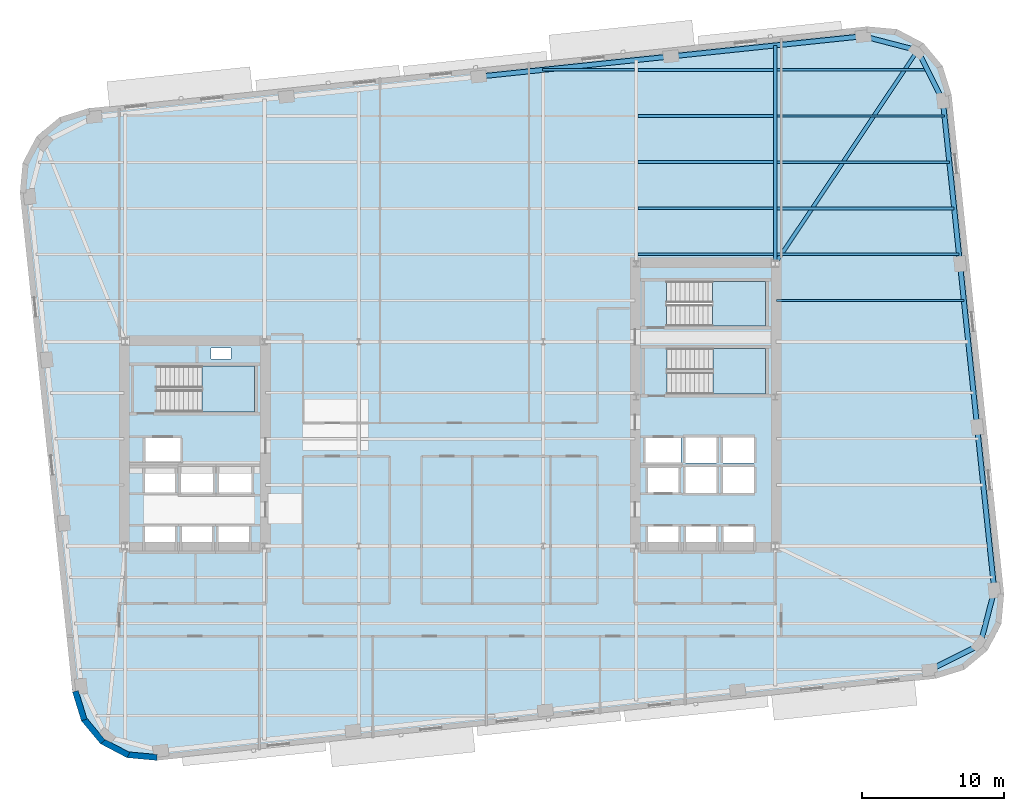
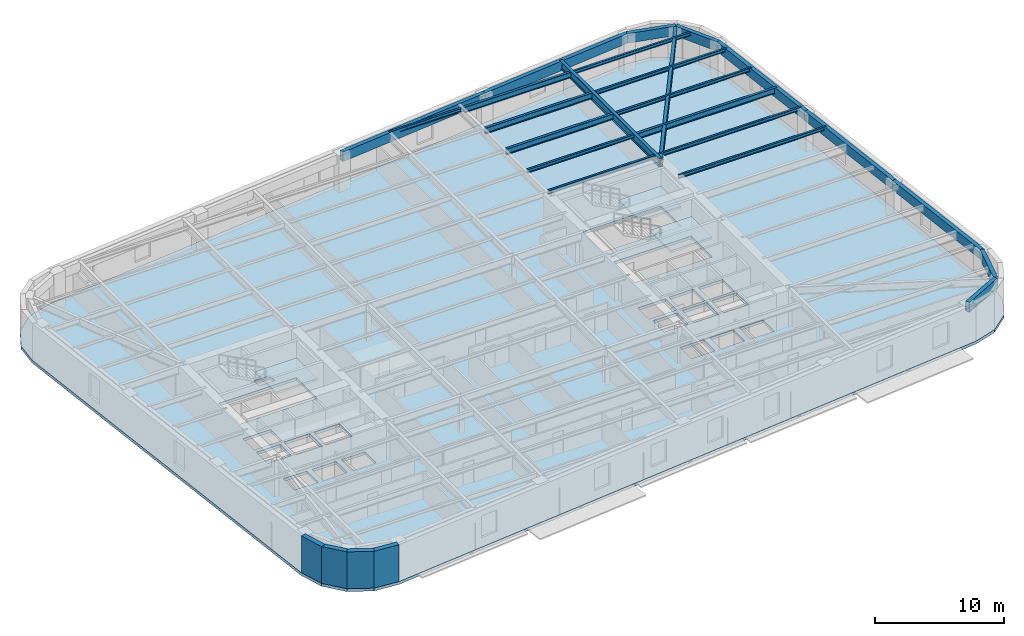
# One storey, part 3 of 11: 23 beams, 4 slabs, 4 walls, 3 elements without a shape of their own.
"""IFC4 building model written with IfcOpenShell, lengths in metres."""

from ifc_helpers import new_model, si_unit, direction, frame, frame_2d, origin, origin_2d, place, context, subcontext, project, spatial, polyline, rectangle, hollow_rectangle, i_section, outline, extrude, material, layer, layer_set, material_profile, profile_set, type_object, element, aggregate, save


model = new_model("IFC4")

# Units and contexts
model_context = context("Model", 3, precision=1e-05, world=origin(), true_north=direction((0.0, 1.0)))
body_context = subcontext(model_context, "Body", "Model", "MODEL_VIEW")
ifc_project = project(units=[si_unit("LENGTHUNIT", "METRE"), si_unit("AREAUNIT", "SQUARE_METRE"), si_unit("VOLUMEUNIT", "CUBIC_METRE"), si_unit("PLANEANGLEUNIT", "RADIAN"), si_unit("MASSUNIT", "GRAM", prefix="KILO")], contexts=[model_context])

# Site, building, storey
site_placement = place(None, origin())
site = spatial("IfcSite", under=ifc_project, at=site_placement, CompositionType="ELEMENT")
building_placement = place(site_placement, origin())
building = spatial("IfcBuilding", under=site, at=building_placement, Name="Kolvaren Arena Tower", CompositionType="ELEMENT")
storey_placement = place(building_placement, frame((0.0, 0.0, 103.449951171875)))
storey = spatial("IfcBuildingStorey", under=building, at=storey_placement, Name="L23", CompositionType="ELEMENT", Elevation=103.449951171875)

# Beams
ifc_material_1 = material(Name="Steel CSA G40.21 350W", Category="steel")
ifc_material_profile_1 = material_profile(ifc_material_1, i_section(OverallWidth=0.2119140625, OverallDepth=0.54296875, WebThickness=0.01318359375, FlangeThickness=0.0244140625, FilletRadius=0.013916015625, at=origin_2d()), Name="W530x150")
ifc_profile_set_1 = profile_set([ifc_material_profile_1], Name="Steel CSA G40.21 350W")
beam_type_1 = type_object("IfcBeamType", Name="BEAM-F1", PredefinedType="BEAM", material=ifc_profile_set_1)
beam_1_placement = place(storey_placement, frame((60.485107421875, 43.25, 3.20849609375), z_axis=(1.0, 0.0, 0.0), x_axis=(0.0, 1.0, 0.0)))
element("IfcBeam", 1, at=beam_1_placement, inside=storey, type_object=beam_type_1, Name="Composite Floor Beam (L23)", PredefinedType="BEAM", context=body_context, shape_type="SweptSolid", body=[
    extrude(i_section(OverallWidth=0.2119140625, OverallDepth=0.54296875, WebThickness=0.01318359375, FlangeThickness=0.0244140625, FilletRadius=0.013916015625, at=origin_2d()), origin(), (0.0, 0.0, 1.0), 12.471435546875),
])
for number, where, z_axis, x_axis, name in (
    (2, (50.68505859375, 46.5, 3.20849609375), (1.0, 0.0, 0.0), (0.0, 1.0, 0.0), "Composite Floor Beam (L23)"),
    (3, (50.68505859375, 49.75, 3.20849609375), (1.0, 0.0, 0.0), (0.0, 1.0, 0.0), "Composite Floor Beam (L23)"),
    (4, (50.68505859375, 53.0, 3.20849609375), (1.0, 0.0, 0.0), (0.0, 1.0, 0.0), "Composite Floor Beam (L23)"),
):
    element("IfcBeam", number, at=place(storey_placement, frame(where, z_axis=z_axis, x_axis=x_axis)), inside=storey, type_object=beam_type_1, Name=name, PredefinedType="BEAM", context=body_context, shape_type="SweptSolid", body=[
        extrude(i_section(OverallWidth=0.2119140625, OverallDepth=0.54296875, WebThickness=0.01318359375, FlangeThickness=0.0244140625, FilletRadius=0.013916015625, at=origin_2d()), origin(), (0.0, 0.0, 1.0), 9.530029296875),
    ])
ifc_material_profile_2 = material_profile(ifc_material_1, i_section(OverallWidth=0.27001953125, OverallDepth=0.77294921875, WebThickness=0.019287109375, FlangeThickness=0.033447265625, FilletRadius=0.01806640625, at=origin_2d()), Name="W760x257")
ifc_profile_set_2 = profile_set([ifc_material_profile_2], Name="Steel CSA G40.21 350W")
beam_type_2 = type_object("IfcBeamType", Name="GIRD-T1", PredefinedType="BEAM", material=ifc_profile_set_2)
beam_2_placement = place(storey_placement, frame((70.387939453125, 54.37939453125, 3.093505859375), z_axis=(-0.555401401293, -0.831582397266, 0.0), x_axis=(0.831582397266, -0.555401401293, 0.0)))
element("IfcBeam", 5, at=beam_2_placement, inside=storey, type_object=beam_type_2, Name="Corner Diagonal Tie Girder (L23)", PredefinedType="BEAM", context=body_context, shape_type="SweptSolid", body=[
    extrude(i_section(OverallWidth=0.27001953125, OverallDepth=0.77294921875, WebThickness=0.019287109375, FlangeThickness=0.033447265625, FilletRadius=0.01806640625, at=origin_2d()), origin(), (0.0, 0.0, 1.0), 18.0732421875),
])
beam_3_placement = place(storey_placement, frame((60.35009765625, 39.405029296875, 3.093505859375), z_axis=(0.0, 1.0, 0.0), x_axis=(-1.0, 0.0, 0.0)))
element("IfcBeam", 6, at=beam_3_placement, inside=storey, type_object=beam_type_2, Name="Primary Floor Girder (L23)", PredefinedType="BEAM", context=body_context, shape_type="SweptSolid", body=[
    extrude(i_section(OverallWidth=0.27001953125, OverallDepth=0.77294921875, WebThickness=0.019287109375, FlangeThickness=0.033447265625, FilletRadius=0.01806640625, at=origin_2d()), origin(), (0.0, 0.0, 1.0), 15.318359375),
])
ifc_material_profile_3 = material_profile(ifc_material_1, i_section(OverallWidth=0.1669921875, OverallDepth=0.31689453125, WebThickness=0.007568359375, FlangeThickness=0.01318359375, FilletRadius=0.010009765625, at=origin_2d()), Name="W310x52")
ifc_profile_set_3 = profile_set([ifc_material_profile_3], Name="Steel CSA G40.21 350W")
beam_type_3 = type_object("IfcBeamType", Name="JOIST-02", PredefinedType="JOIST", material=ifc_profile_set_3)
beam_4_placement = place(storey_placement, frame((60.445068359375, 36.75, 3.321533203125), z_axis=(1.0, 0.0, 0.0), x_axis=(0.0, 1.0, 0.0)))
element("IfcBeam", 7, at=beam_4_placement, inside=storey, type_object=beam_type_3, Name="Composite Floor Joist (L23)", PredefinedType="JOIST", context=body_context, shape_type="SweptSolid", body=[
    extrude(i_section(OverallWidth=0.1669921875, OverallDepth=0.31689453125, WebThickness=0.007568359375, FlangeThickness=0.01318359375, FilletRadius=0.010009765625, at=origin_2d()), origin(), (0.0, 0.0, 1.0), 13.19482421875),
])
beam_5_placement = place(storey_placement, frame((50.68505859375, 40.0, 3.321533203125), z_axis=(1.0, 0.0, 0.0), x_axis=(0.0, 1.0, 0.0)))
element("IfcBeam", 8, at=beam_5_placement, inside=storey, type_object=beam_type_3, Name="Composite Floor Joist (L23)", PredefinedType="JOIST", context=body_context, shape_type="SweptSolid", body=[
    extrude(i_section(OverallWidth=0.1669921875, OverallDepth=0.31689453125, WebThickness=0.007568359375, FlangeThickness=0.01318359375, FilletRadius=0.010009765625, at=origin_2d()), origin(), (0.0, 0.0, 1.0), 9.530029296875),
])
beam_6_placement = place(storey_placement, frame((60.485107421875, 40.0, 3.321533203125), z_axis=(1.0, 0.0, 0.0), x_axis=(0.0, 1.0, 0.0)))
element("IfcBeam", 9, at=beam_6_placement, inside=storey, type_object=beam_type_3, Name="Composite Floor Joist (L23)", PredefinedType="JOIST", context=body_context, shape_type="SweptSolid", body=[
    extrude(i_section(OverallWidth=0.1669921875, OverallDepth=0.31689453125, WebThickness=0.007568359375, FlangeThickness=0.01318359375, FilletRadius=0.010009765625, at=origin_2d()), origin(), (0.0, 0.0, 1.0), 12.81298828125),
])
beam_7_placement = place(storey_placement, frame((50.68505859375, 43.25, 3.321533203125), z_axis=(1.0, 0.0, 0.0), x_axis=(0.0, 1.0, 0.0)))
element("IfcBeam", 10, at=beam_7_placement, inside=storey, type_object=beam_type_3, Name="Composite Floor Joist (L23)", PredefinedType="JOIST", context=body_context, shape_type="SweptSolid", body=[
    extrude(i_section(OverallWidth=0.1669921875, OverallDepth=0.31689453125, WebThickness=0.007568359375, FlangeThickness=0.01318359375, FilletRadius=0.010009765625, at=origin_2d()), origin(), (0.0, 0.0, 1.0), 9.530029296875),
])
beam_8_placement = place(storey_placement, frame((60.485107421875, 46.5, 3.321533203125), z_axis=(1.0, 0.0, 0.0), x_axis=(0.0, 1.0, 0.0)))
element("IfcBeam", 11, at=beam_8_placement, inside=storey, type_object=beam_type_3, Name="Composite Floor Joist (L23)", PredefinedType="JOIST", context=body_context, shape_type="SweptSolid", body=[
    extrude(i_section(OverallWidth=0.1669921875, OverallDepth=0.31689453125, WebThickness=0.007568359375, FlangeThickness=0.01318359375, FilletRadius=0.010009765625, at=origin_2d()), origin(), (0.0, 0.0, 1.0), 12.1298828125),
])
beam_9_placement = place(storey_placement, frame((60.485107421875, 49.75, 3.321533203125), z_axis=(1.0, 0.0, 0.0), x_axis=(0.0, 1.0, 0.0)))
element("IfcBeam", 12, at=beam_9_placement, inside=storey, type_object=beam_type_3, Name="Composite Floor Joist (L23)", PredefinedType="JOIST", context=body_context, shape_type="SweptSolid", body=[
    extrude(i_section(OverallWidth=0.1669921875, OverallDepth=0.31689453125, WebThickness=0.007568359375, FlangeThickness=0.01318359375, FilletRadius=0.010009765625, at=origin_2d()), origin(), (0.0, 0.0, 1.0), 11.788330078125),
])
beam_10_placement = place(storey_placement, frame((43.95361328125, 53.0, 3.321533203125), z_axis=(1.0, 0.0, 0.0), x_axis=(0.0, 1.0, 0.0)))
element("IfcBeam", 13, at=beam_10_placement, inside=storey, type_object=beam_type_3, Name="Composite Floor Joist (L23)", PredefinedType="JOIST", context=body_context, shape_type="SweptSolid", body=[
    extrude(i_section(OverallWidth=0.1669921875, OverallDepth=0.31689453125, WebThickness=0.007568359375, FlangeThickness=0.01318359375, FilletRadius=0.010009765625, at=origin_2d()), origin(), (0.0, 0.0, 1.0), 6.46142578125),
])
beam_11_placement = place(storey_placement, frame((60.485107421875, 53.0, 3.321533203125), z_axis=(1.0, 0.0, 0.0), x_axis=(0.0, 1.0, 0.0)))
element("IfcBeam", 14, at=beam_11_placement, inside=storey, type_object=beam_type_3, Name="Composite Floor Joist (L23)", PredefinedType="JOIST", context=body_context, shape_type="SweptSolid", body=[
    extrude(i_section(OverallWidth=0.1669921875, OverallDepth=0.31689453125, WebThickness=0.007568359375, FlangeThickness=0.01318359375, FilletRadius=0.010009765625, at=origin_2d()), origin(), (0.0, 0.0, 1.0), 10.592529296875),
])
ifc_material_2 = material(Name="Steel CSA G40.21 350WT", Category="steel")
ifc_material_profile_4 = material_profile(ifc_material_2, hollow_rectangle(XDim=0.35009765625, YDim=0.89990234375, WallThickness=0.02001953125, at=origin_2d()), Name="HSS 900x350x20")
ifc_profile_set_4 = profile_set([ifc_material_profile_4], Name="Steel CSA G40.21 350WT")
beam_type_4 = type_object("IfcBeamType", Name="SPAND-01", PredefinedType="SPANDREL", material=ifc_profile_set_4)
for number, where, z_axis, x_axis, name in (
    (15, (71.247314453125, 10.721435546875, 3.030029296875), (0.894451843771, 0.44716428656, 0.0), (-0.44716428656, 0.894451843771, 0.0), "Perimeter Spandrel Beam (L23)"),
    (16, (74.790283203125, 12.49267578125, 3.030029296875), (0.251473350892, 0.967864222808, 0.0), (-0.967864222808, 0.251473350892, 0.0), "Perimeter Spandrel Beam (L23)"),
):
    element("IfcBeam", number, at=place(storey_placement, frame(where, z_axis=z_axis, x_axis=x_axis)), inside=storey, type_object=beam_type_4, Name=name, PredefinedType="SPANDREL", context=body_context, shape_type="SweptSolid", body=[
        extrude(hollow_rectangle(XDim=0.35009765625, YDim=0.89990234375, WallThickness=0.02001953125, at=origin_2d()), origin(), (0.0, 0.0, 1.0), 3.9609375),
    ])
beam_12_placement = place(storey_placement, frame((75.786376953125, 16.326416015625, 3.030029296875), z_axis=(-0.104522171998, 0.994522556587, 0.0), x_axis=(-0.994522556587, -0.104522171998, 0.0)))
element("IfcBeam", 17, at=beam_12_placement, inside=storey, type_object=beam_type_4, Name="Perimeter Spandrel Beam (L23)", PredefinedType="SPANDREL", context=body_context, shape_type="SweptSolid", body=[
    extrude(hollow_rectangle(XDim=0.35009765625, YDim=0.89990234375, WallThickness=0.02001953125, at=origin_2d()), origin(), (0.0, 0.0, 1.0), 11.56689453125),
])
beam_13_placement = place(storey_placement, frame((74.577392578125, 27.829833984375, 3.030029296875), z_axis=(-0.104524366116, 0.994522325988, 0.0), x_axis=(-0.994522325988, -0.104524366116, 0.0)))
element("IfcBeam", 18, at=beam_13_placement, inside=storey, type_object=beam_type_4, Name="Perimeter Spandrel Beam (L23)", PredefinedType="SPANDREL", context=body_context, shape_type="SweptSolid", body=[
    extrude(hollow_rectangle(XDim=0.35009765625, YDim=0.89990234375, WallThickness=0.02001953125, at=origin_2d()), origin(), (0.0, 0.0, 1.0), 11.566650390625),
])
beam_14_placement = place(storey_placement, frame((73.368408203125, 39.3330078125, 3.030029296875), z_axis=(-0.104543048399, 0.994520362301, 0.0), x_axis=(-0.994520362301, -0.104543048399, 0.0)))
element("IfcBeam", 19, at=beam_14_placement, inside=storey, type_object=beam_type_4, Name="Perimeter Spandrel Beam (L23)", PredefinedType="SPANDREL", context=body_context, shape_type="SweptSolid", body=[
    extrude(hollow_rectangle(XDim=0.35009765625, YDim=0.89990234375, WallThickness=0.02001953125, at=origin_2d()), origin(), (0.0, 0.0, 1.0), 11.56689453125),
])
for number, where, z_axis, x_axis, name in (
    (20, (72.1591796875, 50.83642578125, 3.030029296875), (-0.44716428656, 0.894451843771, 0.0), (-0.894451843771, -0.44716428656, 0.0), "Perimeter Spandrel Beam (L23)"),
    (21, (70.387939453125, 54.37939453125, 3.030029296875), (-0.967864222808, 0.251473350892, 0.0), (-0.251473350892, -0.967864222808, 0.0), "Perimeter Spandrel Beam (L23)"),
):
    element("IfcBeam", number, at=place(storey_placement, frame(where, z_axis=z_axis, x_axis=x_axis)), inside=storey, type_object=beam_type_4, Name=name, PredefinedType="SPANDREL", context=body_context, shape_type="SweptSolid", body=[
        extrude(hollow_rectangle(XDim=0.35009765625, YDim=0.89990234375, WallThickness=0.02001953125, at=origin_2d()), origin(), (0.0, 0.0, 1.0), 3.9609375),
    ])
beam_15_placement = place(storey_placement, frame((66.55419921875, 55.37548828125, 3.030029296875), z_axis=(-0.994521150946, -0.104535545729, 0.0), x_axis=(0.104535545729, -0.994521150946, 0.0)))
element("IfcBeam", 22, at=beam_15_placement, inside=storey, type_object=beam_type_4, Name="Perimeter Spandrel Beam (L23)", PredefinedType="SPANDREL", context=body_context, shape_type="SweptSolid", body=[
    extrude(hollow_rectangle(XDim=0.35009765625, YDim=0.89990234375, WallThickness=0.02001953125, at=origin_2d()), origin(), (0.0, 0.0, 1.0), 13.625244140625),
])
beam_16_placement = place(storey_placement, frame((53.003662109375, 53.951171875, 3.030029296875), z_axis=(-0.994522817887, -0.104519685718, 0.0), x_axis=(0.104519685718, -0.994522817887, 0.0)))
element("IfcBeam", 23, at=beam_16_placement, inside=storey, type_object=beam_type_4, Name="Perimeter Spandrel Beam (L23)", PredefinedType="SPANDREL", context=body_context, shape_type="SweptSolid", body=[
    extrude(hollow_rectangle(XDim=0.35009765625, YDim=0.89990234375, WallThickness=0.02001953125, at=origin_2d()), origin(), (0.0, 0.0, 1.0), 13.625),
])

# Stair, slab
ifc_material_3 = material(Name="Concrete 45 MPa", Category="concrete")
stair_type_1 = type_object("IfcStairType", Name="STAIR-CORE-165", PredefinedType="HALF_TURN_STAIR", material=ifc_material_3)
stair_1_placement = place(storey_placement, origin())
stair_1 = element("IfcStair", 24, at=stair_1_placement, inside=storey, type_object=stair_type_1, Name="L23 ST-W1", PredefinedType="HALF_TURN_STAIR")
ifc_layer_1 = layer(ifc_material_3, 0.199951171875)
ifc_layer_set_1 = layer_set([ifc_layer_1], Name="Concrete 45 MPa")
slab_type_1 = type_object("IfcSlabType", Name="SLAB-LAND", PredefinedType="LANDING", material=ifc_layer_set_1)
slab_1_placement = place(storey_placement, frame((0.0, 0.0, 1.675048828125)))
slab_1 = element("IfcSlab", 25, at=slab_1_placement, type_object=slab_type_1, Name="ST-W1 landing 1", PredefinedType="LANDING", context=body_context, shape_type="SweptSolid", body=[
    extrude(outline(polyline([(19.9599609375, 28.89990234375), (23.659912109375, 28.89990234375), (23.659912109375, 32.1298828125), (19.9599609375, 32.1298828125), (19.9599609375, 28.89990234375)])), origin(), (0.0, 0.0, 1.0), 0.199951171875),
])
aggregate(stair_1, [slab_1])

stair_2_placement = place(storey_placement, origin())
stair_2 = element("IfcStair", 26, at=stair_2_placement, inside=storey, type_object=stair_type_1, Name="L23 ST-E1", PredefinedType="HALF_TURN_STAIR")
slab_2_placement = place(storey_placement, frame((0.0, 0.0, 1.675048828125)))
slab_2 = element("IfcSlab", 27, at=slab_2_placement, type_object=slab_type_1, Name="ST-E1 landing 1", PredefinedType="LANDING", context=body_context, shape_type="SweptSolid", body=[
    extrude(outline(polyline([(55.9599609375, 30.14990234375), (59.659912109375, 30.14990234375), (59.659912109375, 33.3798828125), (55.9599609375, 33.3798828125), (55.9599609375, 30.14990234375)])), origin(), (0.0, 0.0, 1.0), 0.199951171875),
])
aggregate(stair_2, [slab_2])

stair_type_2 = type_object("IfcStairType", Name="STAIR-CORE-150", PredefinedType="HALF_TURN_STAIR", material=ifc_material_3)
stair_3_placement = place(storey_placement, origin())
stair_3 = element("IfcStair", 28, at=stair_3_placement, inside=storey, type_object=stair_type_2, Name="L23 ST-E2", PredefinedType="HALF_TURN_STAIR")
slab_3_placement = place(storey_placement, frame((0.0, 0.0, 1.675048828125)))
slab_3 = element("IfcSlab", 29, at=slab_3_placement, type_object=slab_type_1, Name="ST-E2 landing 1", PredefinedType="LANDING", context=body_context, shape_type="SweptSolid", body=[
    extrude(outline(polyline([(55.919921875, 34.949951171875), (59.659912109375, 34.949951171875), (59.659912109375, 38.10009765625), (55.919921875, 38.10009765625), (55.919921875, 34.949951171875)])), origin(), (0.0, 0.0, 1.0), 0.199951171875),
])
aggregate(stair_3, [slab_3])

# Slab
ifc_layer_2 = layer(ifc_material_3, 0.27001953125)
ifc_layer_set_2 = layer_set([ifc_layer_2], Name="Concrete 45 MPa")
slab_type_2 = type_object("IfcSlabType", Name="SLAB-OFF2", PredefinedType="FLOOR", material=ifc_layer_set_2)
slab_4_placement = place(storey_placement, frame((0.0, 0.0, -0.27001953125)))
element("IfcSlab", 30, at=slab_4_placement, inside=storey, type_object=slab_type_2, Name="L23 Primary Structural Slab", PredefinedType="FLOOR", context=body_context, shape_type="SweptSolid", body=[
    extrude(outline(polyline([(71.663330078125, 10.111572265625), (73.675537109375, 10.736328125), (75.29541015625, 12.08349609375), (76.276611328125, 13.9482421875), (76.469482421875, 16.04638671875), (72.76904296875, 51.25244140625), (72.144287109375, 53.2646484375), (70.797119140625, 54.884521484375), (68.932373046875, 55.865478515625), (66.834228515625, 56.058349609375), (11.9365234375, 50.28857421875), (9.92431640625, 49.663818359375), (8.304443359375, 48.31640625), (7.323486328125, 46.45166015625), (7.130615234375, 44.353515625), (10.830810546875, 9.1474609375), (11.455810546875, 7.13525390625), (12.802978515625, 5.515380859375), (14.667724609375, 4.534423828125), (16.765869140625, 4.341552734375), (71.663330078125, 10.111572265625)]), holes=[polyline([(15.93505859375, 19.0849609375), (15.93505859375, 20.81494140625), (18.06494140625, 20.81494140625), (18.06494140625, 19.0849609375), (15.93505859375, 19.0849609375)]), polyline([(18.534912109375, 19.0849609375), (18.534912109375, 20.81494140625), (20.6650390625, 20.81494140625), (20.6650390625, 19.0849609375), (18.534912109375, 19.0849609375)]), polyline([(21.135009765625, 19.0849609375), (21.135009765625, 20.81494140625), (23.264892578125, 20.81494140625), (23.264892578125, 19.0849609375), (21.135009765625, 19.0849609375)]), polyline([(51.39501953125, 19.0849609375), (51.39501953125, 20.81494140625), (53.52490234375, 20.81494140625), (53.52490234375, 19.0849609375), (51.39501953125, 19.0849609375)]), polyline([(54.054931640625, 19.0849609375), (54.054931640625, 20.81494140625), (56.18505859375, 20.81494140625), (56.18505859375, 19.0849609375), (54.054931640625, 19.0849609375)]), polyline([(56.695068359375, 19.0849609375), (56.695068359375, 20.81494140625), (58.824951171875, 20.81494140625), (58.824951171875, 19.0849609375), (56.695068359375, 19.0849609375)]), polyline([(18.4599609375, 25.06494140625), (20.739990234375, 25.06494140625), (20.739990234375, 23.135009765625), (18.4599609375, 23.135009765625), (18.4599609375, 25.06494140625)]), polyline([(21.159912109375, 23.135009765625), (21.159912109375, 25.06494140625), (23.43994140625, 25.06494140625), (23.43994140625, 23.135009765625), (21.159912109375, 23.135009765625)]), polyline([(54.030029296875, 25.014892578125), (56.2099609375, 25.014892578125), (56.2099609375, 23.18505859375), (54.030029296875, 23.18505859375), (54.030029296875, 25.014892578125)]), polyline([(56.669921875, 25.014892578125), (58.85009765625, 25.014892578125), (58.85009765625, 23.18505859375), (56.669921875, 23.18505859375), (56.669921875, 25.014892578125)]), polyline([(15.93505859375, 24.965087890625), (18.06494140625, 24.965087890625), (18.06494140625, 23.235107421875), (15.93505859375, 23.235107421875), (15.93505859375, 24.965087890625)]), polyline([(51.39501953125, 23.235107421875), (51.39501953125, 24.965087890625), (53.52490234375, 24.965087890625), (53.52490234375, 23.235107421875), (51.39501953125, 23.235107421875)]), polyline([(54.030029296875, 25.284912109375), (54.030029296875, 27.114990234375), (56.2099609375, 27.114990234375), (56.2099609375, 25.284912109375), (54.030029296875, 25.284912109375)]), polyline([(56.669921875, 25.284912109375), (56.669921875, 27.114990234375), (58.85009765625, 27.114990234375), (58.85009765625, 25.284912109375), (56.669921875, 25.284912109375)]), polyline([(15.9599609375, 25.3349609375), (15.9599609375, 27.06494140625), (18.43994140625, 27.06494140625), (18.43994140625, 25.3349609375), (15.9599609375, 25.3349609375)]), polyline([(51.219970703125, 25.3349609375), (51.219970703125, 27.06494140625), (53.699951171875, 27.06494140625), (53.699951171875, 25.3349609375), (51.219970703125, 25.3349609375)]), polyline([(16.735107421875, 32.1298828125), (23.659912109375, 32.1298828125), (23.659912109375, 28.89990234375), (16.735107421875, 28.89990234375), (16.735107421875, 32.1298828125)]), polyline([(52.735107421875, 33.3798828125), (59.659912109375, 33.3798828125), (59.659912109375, 30.14990234375), (52.735107421875, 30.14990234375), (52.735107421875, 33.3798828125)]), polyline([(20.60009765625, 33.39990234375), (22.0, 33.39990234375), (22.0, 32.6201171875), (20.60009765625, 32.6201171875), (20.60009765625, 33.39990234375)]), polyline([(52.695068359375, 38.10009765625), (59.659912109375, 38.10009765625), (59.659912109375, 34.949951171875), (52.695068359375, 34.949951171875), (52.695068359375, 38.10009765625)])]), origin(), (0.0, 0.0, 1.0), 0.27001953125),
])

# Walls
ifc_material_4 = material(Name="Precast concrete C50/60", Category="concrete")
ifc_layer_3 = layer(ifc_material_4, 0.419921875)
ifc_layer_set_3 = layer_set([ifc_layer_3], Name="Precast concrete C50/60")
wall_type = type_object("IfcWallType", Name="EXT-PIER1", PredefinedType="SOLIDWALL", material=ifc_layer_set_3)
for number, where, z_axis, x_axis, name in (
    (31, (11.65625, 7.197509765625, 0.0), (0.0, 0.0, 1.0), (-0.296519484366, 0.955026803494, 0.0), "Exterior Precast Masonry-Frame Wall (L23)"),
    (32, (12.964599609375, 5.649658203125, 0.0), (0.0, 0.0, 1.0), (-0.639488914921, 0.768800317178, 0.0), "Exterior Precast Masonry-Frame Wall (L23)"),
    (33, (14.765380859375, 4.72021484375, 0.0), (0.0, 0.0, 1.0), (-0.884940843444, 0.465703450282, 0.0), "Exterior Precast Masonry-Frame Wall (L23)"),
):
    element("IfcWall", number, at=place(storey_placement, frame(where, z_axis=z_axis, x_axis=x_axis)), inside=storey, type_object=wall_type, Name=name, PredefinedType="SOLIDWALL", context=body_context, shape_type="SweptSolid", body=[
        extrude(rectangle(XDim=2.10693359375, YDim=0.419921875, at=frame_2d((1.053466796875, 0.0))), origin(), (0.0, 0.0, 1.0), 3.47998046875),
    ])
wall_placement = place(storey_placement, frame((16.784912109375, 4.55078125, 0.0), z_axis=(0.0, 0.0, 1.0), x_axis=(-0.995811110714, 0.091434303078, 0.0)))
element("IfcWall", 34, at=wall_placement, inside=storey, type_object=wall_type, Name="Exterior Precast Masonry-Frame Wall (L23)", PredefinedType="SOLIDWALL", context=body_context, shape_type="SweptSolid", body=[
    extrude(rectangle(XDim=2.106689453125, YDim=0.419921875, at=frame_2d((1.05322265625, 0.0))), origin(), (0.0, 0.0, 1.0), 3.47998046875),
])

save(model, "model.ifc")
